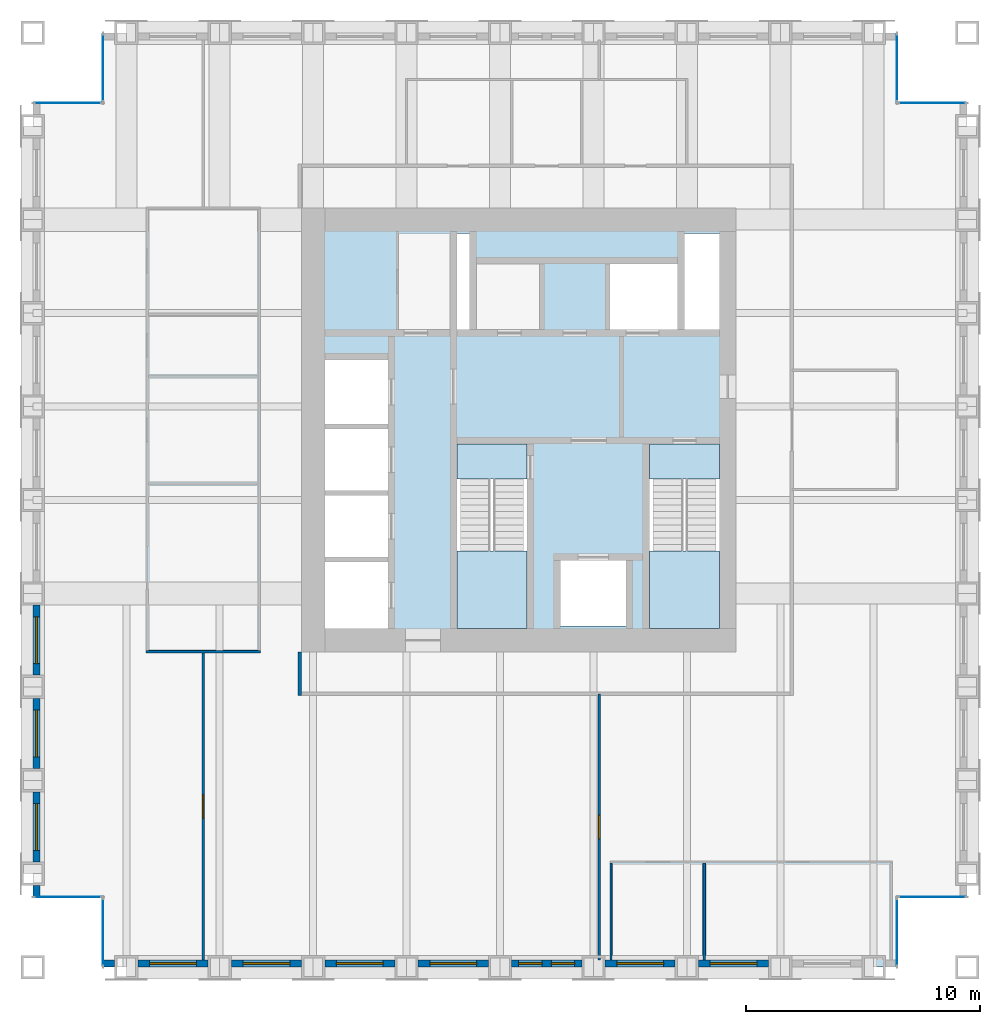
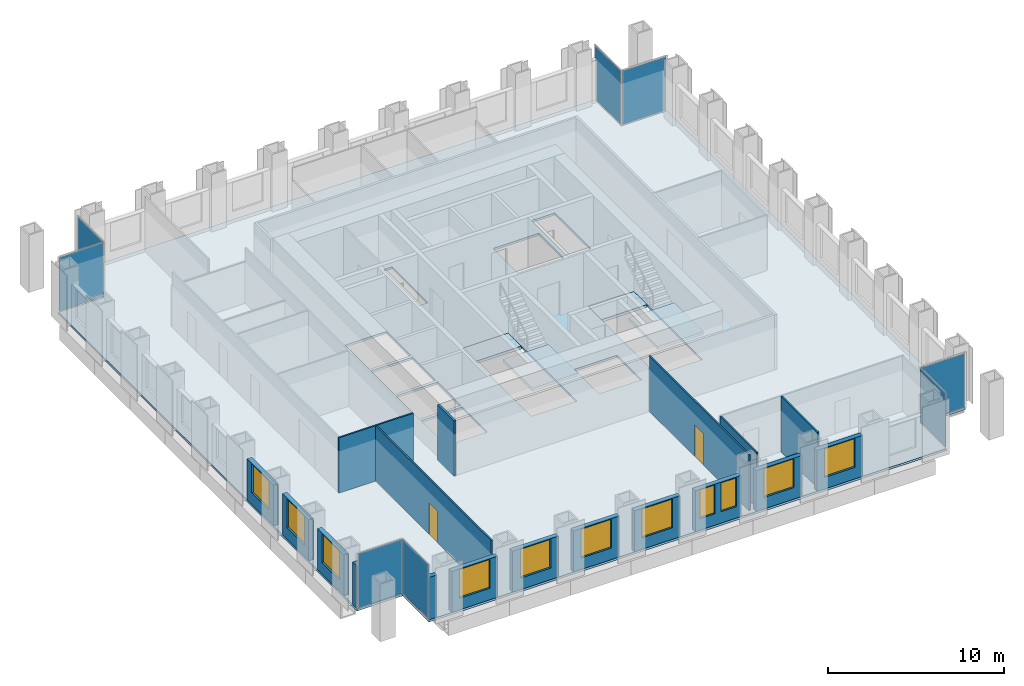
# One storey, part 7 of 11: 18 walls, 11 windows, 8 plates, 5 slabs, 2 doors, 13 openings, 10 elements without a shape of their own.
"""IFC4 building model written with IfcOpenShell, lengths in metres."""

from ifc_helpers import new_model, si_unit, direction, frame, frame_2d, origin, origin_2d, place, context, subcontext, project, spatial, polyline, rectangle, outline, extrude, material, layer, layer_set, type_object, element, fill, aggregate, save


model = new_model("IFC4")

# Units and contexts
model_context = context("Model", 3, precision=1e-05, world=origin(), true_north=direction((0.0, 1.0)))
body_context = subcontext(model_context, "Body", "Model", "MODEL_VIEW")
ifc_project = project(units=[si_unit("LENGTHUNIT", "METRE"), si_unit("AREAUNIT", "SQUARE_METRE"), si_unit("VOLUMEUNIT", "CUBIC_METRE"), si_unit("PLANEANGLEUNIT", "RADIAN"), si_unit("MASSUNIT", "GRAM", prefix="KILO")], contexts=[model_context])

# Site, building, storey
site_placement = place(None, origin())
site = spatial("IfcSite", under=ifc_project, at=site_placement, CompositionType="ELEMENT")
building_placement = place(site_placement, origin())
building = spatial("IfcBuilding", under=site, at=building_placement, Name="Rimbunsela Tower", CompositionType="ELEMENT")
storey_placement = place(building_placement, frame((0.0, 0.0, 278.199951171875)))
storey = spatial("IfcBuildingStorey", under=building, at=storey_placement, Name="L67", CompositionType="ELEMENT", Elevation=278.199951171875)

# Slab
ifc_material_1 = material(Name="Concrete fc' 35 MPa", Category="concrete")
ifc_layer_1 = layer(ifc_material_1, 0.14990234375)
ifc_layer_set_1 = layer_set([ifc_layer_1], Name="Floor slab 150")
slab_type_1 = type_object("IfcSlabType", Name="Floor slab 150", PredefinedType="FLOOR", material=ifc_layer_set_1)
slab_1_placement = place(storey_placement, frame((0.0, 0.0, -0.14990234375)))
element("IfcSlab", 1, at=slab_1_placement, inside=storey, type_object=slab_type_1, Name="Floor slab L67", PredefinedType="FLOOR", context=body_context, shape_type="SweptSolid", body=[
    extrude(outline(polyline([(9.0, 4.0), (43.0, 4.0), (43.0, 7.0), (46.0, 7.0), (46.0, 41.0), (43.0, 41.0), (43.0, 44.0), (9.0, 44.0), (9.0, 41.0), (6.0, 41.0), (6.0, 7.0), (9.0, 7.0), (9.0, 4.0)]), holes=[polyline([(21.199951171875, 21.35009765625), (18.5, 21.35009765625), (18.5, 18.5), (21.199951171875, 18.5), (21.199951171875, 21.35009765625)]), polyline([(21.199951171875, 21.550048828125), (21.199951171875, 24.199951171875), (18.5, 24.199951171875), (18.5, 21.550048828125), (21.199951171875, 21.550048828125)]), polyline([(21.199951171875, 27.050048828125), (18.5, 27.050048828125), (18.5, 24.39990234375), (21.199951171875, 24.39990234375), (21.199951171875, 27.050048828125)]), polyline([(21.199951171875, 30.0), (18.5, 30.0), (18.5, 27.25), (21.199951171875, 27.25), (21.199951171875, 30.0)]), polyline([(27.14990234375, 26.39990234375), (24.14990234375, 26.39990234375), (24.14990234375, 18.60009765625), (27.14990234375, 18.60009765625), (27.14990234375, 26.39990234375)]), polyline([(24.699951171875, 31.300048828125), (24.699951171875, 35.39990234375), (24.14990234375, 35.39990234375), (24.14990234375, 31.300048828125), (24.699951171875, 31.300048828125)]), polyline([(31.39990234375, 21.39990234375), (28.60009765625, 21.39990234375), (28.60009765625, 18.60009765625), (31.39990234375, 18.60009765625), (31.39990234375, 21.39990234375)]), polyline([(33.60009765625, 34.10009765625), (30.60009765625, 34.10009765625), (30.60009765625, 31.300048828125), (33.60009765625, 31.300048828125), (33.60009765625, 34.10009765625)]), polyline([(35.39990234375, 18.60009765625), (35.39990234375, 26.39990234375), (32.39990234375, 26.39990234375), (32.39990234375, 18.60009765625), (35.39990234375, 18.60009765625)]), polyline([(35.39990234375, 31.300048828125), (35.39990234375, 35.39990234375), (33.89990234375, 35.39990234375), (33.89990234375, 31.300048828125), (35.39990234375, 31.300048828125)])]), origin(), (0.0, 0.0, 1.0), 0.14990234375),
])

# Curtain wall, plate
ifc_material_2 = material(Name="Aluminium curtain wall", Category="aluminium")
curtain_wall_type = type_object("IfcCurtainWallType", Name="Corner glazing", PredefinedType="USERDEFINED", material=ifc_material_2)
curtain_wall_1_placement = place(storey_placement, origin())
curtain_wall_1 = element("IfcCurtainWall", 2, at=curtain_wall_1_placement, inside=storey, type_object=curtain_wall_type, Name="Corner glazing L67", ObjectType="CORNER GLAZING", PredefinedType="USERDEFINED")
ifc_material_3 = material(Name="Clear double glazing", Category="glass")
ifc_layer_2 = layer(ifc_material_3, 0.028076171875)
ifc_layer_set_2 = layer_set([ifc_layer_2], Name="Glazed panel clear")
plate_type = type_object("IfcPlateType", Name="Glazed panel clear", PredefinedType="CURTAIN_PANEL", material=ifc_layer_set_2)
plate_1_placement = place(storey_placement, frame((43.0, 5.5, 0.06005859375), z_axis=(0.0, 0.0, 1.0), x_axis=(0.0, 1.0, 0.0)))
plate_1 = element("IfcPlate", 3, at=plate_1_placement, type_object=plate_type, Name="CW5 panel 1.1", PredefinedType="CURTAIN_PANEL", context=body_context, shape_type="SweptSolid", body=[
    extrude(rectangle(XDim=2.8798828125, YDim=0.028076171875, at=origin_2d()), origin(), (0.0, 0.0, 1.0), 3.72998046875),
])
aggregate(curtain_wall_1, [plate_1])

curtain_wall_2_placement = place(storey_placement, origin())
curtain_wall_2 = element("IfcCurtainWall", 4, at=curtain_wall_2_placement, inside=storey, type_object=curtain_wall_type, Name="Corner glazing L67", ObjectType="CORNER GLAZING", PredefinedType="USERDEFINED")
plate_2_placement = place(storey_placement, frame((44.5, 7.0, 0.06005859375), z_axis=(0.0, 0.0, 1.0), x_axis=(1.0, 0.0, 0.0)))
plate_2 = element("IfcPlate", 5, at=plate_2_placement, type_object=plate_type, Name="CW5 panel 1.1", PredefinedType="CURTAIN_PANEL", context=body_context, shape_type="SweptSolid", body=[
    extrude(rectangle(XDim=2.8798828125, YDim=0.028076171875, at=origin_2d()), origin(), (0.0, 0.0, 1.0), 3.72998046875),
])
aggregate(curtain_wall_2, [plate_2])

curtain_wall_3_placement = place(storey_placement, origin())
curtain_wall_3 = element("IfcCurtainWall", 6, at=curtain_wall_3_placement, inside=storey, type_object=curtain_wall_type, Name="Corner glazing L67", ObjectType="CORNER GLAZING", PredefinedType="USERDEFINED")
plate_3_placement = place(storey_placement, frame((44.5, 41.0, 0.06005859375), z_axis=(0.0, 0.0, 1.0), x_axis=(-1.0, 0.0, 0.0)))
plate_3 = element("IfcPlate", 7, at=plate_3_placement, type_object=plate_type, Name="CW5 panel 1.1", PredefinedType="CURTAIN_PANEL", context=body_context, shape_type="SweptSolid", body=[
    extrude(rectangle(XDim=2.8798828125, YDim=0.028076171875, at=origin_2d()), origin(), (0.0, 0.0, 1.0), 3.72998046875),
])
aggregate(curtain_wall_3, [plate_3])

curtain_wall_4_placement = place(storey_placement, origin())
curtain_wall_4 = element("IfcCurtainWall", 8, at=curtain_wall_4_placement, inside=storey, type_object=curtain_wall_type, Name="Corner glazing L67", ObjectType="CORNER GLAZING", PredefinedType="USERDEFINED")
plate_4_placement = place(storey_placement, frame((43.0, 42.5, 0.06005859375), z_axis=(0.0, 0.0, 1.0), x_axis=(0.0, 1.0, 0.0)))
plate_4 = element("IfcPlate", 9, at=plate_4_placement, type_object=plate_type, Name="CW5 panel 1.1", PredefinedType="CURTAIN_PANEL", context=body_context, shape_type="SweptSolid", body=[
    extrude(rectangle(XDim=2.8798828125, YDim=0.028076171875, at=origin_2d()), origin(), (0.0, 0.0, 1.0), 3.72998046875),
])
aggregate(curtain_wall_4, [plate_4])

curtain_wall_5_placement = place(storey_placement, origin())
curtain_wall_5 = element("IfcCurtainWall", 10, at=curtain_wall_5_placement, inside=storey, type_object=curtain_wall_type, Name="Corner glazing L67", ObjectType="CORNER GLAZING", PredefinedType="USERDEFINED")
plate_5_placement = place(storey_placement, frame((9.0, 42.5, 0.06005859375), z_axis=(0.0, 0.0, 1.0), x_axis=(0.0, -1.0, 0.0)))
plate_5 = element("IfcPlate", 11, at=plate_5_placement, type_object=plate_type, Name="CW5 panel 1.1", PredefinedType="CURTAIN_PANEL", context=body_context, shape_type="SweptSolid", body=[
    extrude(rectangle(XDim=2.8798828125, YDim=0.028076171875, at=origin_2d()), origin(), (0.0, 0.0, 1.0), 3.72998046875),
])
aggregate(curtain_wall_5, [plate_5])

curtain_wall_6_placement = place(storey_placement, origin())
curtain_wall_6 = element("IfcCurtainWall", 12, at=curtain_wall_6_placement, inside=storey, type_object=curtain_wall_type, Name="Corner glazing L67", ObjectType="CORNER GLAZING", PredefinedType="USERDEFINED")
plate_6_placement = place(storey_placement, frame((7.5, 41.0, 0.06005859375), z_axis=(0.0, 0.0, 1.0), x_axis=(-1.0, 0.0, 0.0)))
plate_6 = element("IfcPlate", 13, at=plate_6_placement, type_object=plate_type, Name="CW5 panel 1.1", PredefinedType="CURTAIN_PANEL", context=body_context, shape_type="SweptSolid", body=[
    extrude(rectangle(XDim=2.8798828125, YDim=0.028076171875, at=origin_2d()), origin(), (0.0, 0.0, 1.0), 3.72998046875),
])
aggregate(curtain_wall_6, [plate_6])

curtain_wall_7_placement = place(storey_placement, origin())
curtain_wall_7 = element("IfcCurtainWall", 14, at=curtain_wall_7_placement, inside=storey, type_object=curtain_wall_type, Name="Corner glazing L67", ObjectType="CORNER GLAZING", PredefinedType="USERDEFINED")
plate_7_placement = place(storey_placement, frame((7.5, 7.0, 0.06005859375), z_axis=(0.0, 0.0, 1.0), x_axis=(1.0, 0.0, 0.0)))
plate_7 = element("IfcPlate", 15, at=plate_7_placement, type_object=plate_type, Name="CW5 panel 1.1", PredefinedType="CURTAIN_PANEL", context=body_context, shape_type="SweptSolid", body=[
    extrude(rectangle(XDim=2.8798828125, YDim=0.028076171875, at=origin_2d()), origin(), (0.0, 0.0, 1.0), 3.72998046875),
])
aggregate(curtain_wall_7, [plate_7])

curtain_wall_8_placement = place(storey_placement, origin())
curtain_wall_8 = element("IfcCurtainWall", 16, at=curtain_wall_8_placement, inside=storey, type_object=curtain_wall_type, Name="Corner glazing L67", ObjectType="CORNER GLAZING", PredefinedType="USERDEFINED")
plate_8_placement = place(storey_placement, frame((9.0, 5.5, 0.06005859375), z_axis=(0.0, 0.0, 1.0), x_axis=(0.0, -1.0, 0.0)))
plate_8 = element("IfcPlate", 17, at=plate_8_placement, type_object=plate_type, Name="CW5 panel 1.1", PredefinedType="CURTAIN_PANEL", context=body_context, shape_type="SweptSolid", body=[
    extrude(rectangle(XDim=2.8798828125, YDim=0.028076171875, at=origin_2d()), origin(), (0.0, 0.0, 1.0), 3.72998046875),
])
aggregate(curtain_wall_8, [plate_8])

# Stair, slabs
ifc_material_4 = material(Name="Concrete fc' 35 MPa", Category="concrete")
stair_type = type_object("IfcStairType", Name="Exit stair 24 risers", PredefinedType="HALF_TURN_STAIR", material=ifc_material_4)
stair_1_placement = place(storey_placement, origin())
stair_1 = element("IfcStair", 18, at=stair_1_placement, inside=storey, type_object=stair_type, Name="Exit stair A L67", PredefinedType="HALF_TURN_STAIR")
ifc_material_5 = material(Name="Concrete fc' 35 MPa", Category="concrete")
ifc_layer_3 = layer(ifc_material_5, 0.199951171875)
ifc_layer_set_3 = layer_set([ifc_layer_3], Name="Stair landing 200")
slab_type_2 = type_object("IfcSlabType", Name="Stair landing 200", PredefinedType="LANDING", material=ifc_layer_set_3)
slab_2_placement = place(storey_placement, frame((0.0, 0.0, -0.199951171875)))
slab_2 = element("IfcSlab", 19, at=slab_2_placement, type_object=slab_type_2, Name="ST-A landing 1", PredefinedType="LANDING", context=body_context, shape_type="SweptSolid", body=[
    extrude(outline(polyline([(24.14990234375, 24.89990234375), (27.14990234375, 24.89990234375), (27.14990234375, 26.39990234375), (24.14990234375, 26.39990234375), (24.14990234375, 24.89990234375)])), origin(), (0.0, 0.0, 1.0), 0.199951171875),
])
slab_3_placement = place(storey_placement, frame((0.0, 0.0, 1.800048828125)))
slab_3 = element("IfcSlab", 20, at=slab_3_placement, type_object=slab_type_2, Name="ST-A landing 2", PredefinedType="LANDING", context=body_context, shape_type="SweptSolid", body=[
    extrude(outline(polyline([(24.14990234375, 18.5), (27.14990234375, 18.5), (27.14990234375, 21.820068359375), (24.14990234375, 21.820068359375), (24.14990234375, 18.5)])), origin(), (0.0, 0.0, 1.0), 0.199951171875),
])
aggregate(stair_1, [slab_2, slab_3])

stair_2_placement = place(storey_placement, origin())
stair_2 = element("IfcStair", 21, at=stair_2_placement, inside=storey, type_object=stair_type, Name="Exit stair B L67", PredefinedType="HALF_TURN_STAIR")
slab_4_placement = place(storey_placement, frame((0.0, 0.0, -0.199951171875)))
slab_4 = element("IfcSlab", 22, at=slab_4_placement, type_object=slab_type_2, Name="ST-B landing 1", PredefinedType="LANDING", context=body_context, shape_type="SweptSolid", body=[
    extrude(outline(polyline([(32.39990234375, 24.89990234375), (35.39990234375, 24.89990234375), (35.39990234375, 26.39990234375), (32.39990234375, 26.39990234375), (32.39990234375, 24.89990234375)])), origin(), (0.0, 0.0, 1.0), 0.199951171875),
])
slab_5_placement = place(storey_placement, frame((0.0, 0.0, 1.800048828125)))
slab_5 = element("IfcSlab", 23, at=slab_5_placement, type_object=slab_type_2, Name="ST-B landing 2", PredefinedType="LANDING", context=body_context, shape_type="SweptSolid", body=[
    extrude(outline(polyline([(32.39990234375, 18.5), (35.39990234375, 18.5), (35.39990234375, 21.820068359375), (32.39990234375, 21.820068359375), (32.39990234375, 18.5)])), origin(), (0.0, 0.0, 1.0), 0.199951171875),
])
aggregate(stair_2, [slab_4, slab_5])

# Walls
ifc_material_6 = material(Name="Gypsum board on steel studs", Category="steel")
ifc_layer_4 = layer(ifc_material_6, 0.10009765625)
ifc_layer_set_4 = layer_set([ifc_layer_4], Name="Office partition 100")
wall_type_1 = type_object("IfcWallType", Name="Office partition 100", PredefinedType="PARTITIONING", material=ifc_layer_set_4)
wall_1_placement = place(storey_placement, frame((10.85009765625, 17.5, 0.0), z_axis=(0.0, 0.0, 1.0), x_axis=(1.0, 0.0, 0.0)))
element("IfcWall", 24, at=wall_1_placement, inside=storey, type_object=wall_type_1, Name="Office partition", PredefinedType="PARTITIONING", context=body_context, shape_type="SweptSolid", body=[
    extrude(rectangle(XDim=4.89990234375, YDim=0.10009765625, at=frame_2d((2.449951171875, 0.0))), origin(), (0.0, 0.0, 1.0), 3.85009765625),
])
for number, where, z_axis, x_axis, name in (
    (25, (30.75, 4.300048828125, 0.0), (0.0, 0.0, 1.0), (0.0, 1.0, 0.0), "Office partition"),
    (26, (34.75, 4.300048828125, 0.0), (0.0, 0.0, 1.0), (0.0, 1.0, 0.0), "Office partition"),
):
    element("IfcWall", number, at=place(storey_placement, frame(where, z_axis=z_axis, x_axis=x_axis)), inside=storey, type_object=wall_type_1, Name=name, PredefinedType="PARTITIONING", context=body_context, shape_type="SweptSolid", body=[
        extrude(rectangle(XDim=4.14990234375, YDim=0.10009765625, at=frame_2d((2.074951171875, 0.0))), origin(), (0.0, 0.0, 1.0), 3.85009765625),
    ])

# Wall, opening, door
wall_2_placement = place(storey_placement, frame((30.25, 15.699951171875, 0.0), z_axis=(0.0, 0.0, 1.0), x_axis=(0.0, -1.0, 0.0)))
wall_2 = element("IfcWall", 27, at=wall_2_placement, inside=storey, type_object=wall_type_1, Name="Office partition", PredefinedType="PARTITIONING", context=body_context, shape_type="SweptSolid", body=[
    extrude(rectangle(XDim=11.39990234375, YDim=0.10009765625, at=frame_2d((5.699951171875, 0.0))), origin(), (0.0, 0.0, 1.0), 3.85009765625),
])
opening_1_placement = place(wall_2_placement, frame((5.199951171875, 0.0, 0.0)))
opening_1 = element("IfcOpeningElement", 28, at=opening_1_placement, cuts=wall_2, Name="Opening D17", PredefinedType="OPENING", context=body_context, shape_type="SweptSolid", body=[
    extrude(rectangle(XDim=1.0, YDim=2.199951171875, at=frame_2d((0.5, 1.10009765625))), frame((0.0, 0.06005859375, 0.0), z_axis=(0.0, -1.0, 0.0), x_axis=(1.0, 0.0, 0.0)), (0.0, 0.0, 1.0), 0.1201171875),
])
ifc_material_7 = material(Name="Glazed aluminium door", Category="aluminium")
door_type = type_object("IfcDoorType", Name="Meeting room door 1000 glazed", OperationType="SINGLE_SWING_RIGHT", PredefinedType="DOOR", material=ifc_material_7)
door_1_placement = place(opening_1_placement, origin())
door_1 = element("IfcDoor", 29, at=door_1_placement, inside=storey, type_object=door_type, Name="Open office screen door", OperationType="SINGLE_SWING_RIGHT", OverallHeight=2.199951171875, OverallWidth=1.0, PredefinedType="DOOR", context=body_context, shape_type="SweptSolid", body=[
    extrude(rectangle(XDim=1.0, YDim=2.199951171875, at=frame_2d((0.5, 1.10009765625))), frame((0.0, 0.02490234375, 0.0), z_axis=(0.0, -1.0, 0.0), x_axis=(1.0, 0.0, 0.0)), (0.0, 0.0, 1.0), 0.050048828125),
])
fill(opening_1, door_1)

wall_3_placement = place(storey_placement, frame((13.300048828125, 4.300048828125, 0.0), z_axis=(0.0, 0.0, 1.0), x_axis=(0.0, 1.0, 0.0)))
wall_3 = element("IfcWall", 30, at=wall_3_placement, inside=storey, type_object=wall_type_1, Name="Office partition", PredefinedType="PARTITIONING", context=body_context, shape_type="SweptSolid", body=[
    extrude(rectangle(XDim=13.14990234375, YDim=0.10009765625, at=frame_2d((6.574951171875, 0.0))), origin(), (0.0, 0.0, 1.0), 3.85009765625),
])
opening_2_placement = place(wall_3_placement, frame((6.074951171875, 0.0, 0.0)))
opening_2 = element("IfcOpeningElement", 31, at=opening_2_placement, cuts=wall_3, Name="Opening D17", PredefinedType="OPENING", context=body_context, shape_type="SweptSolid", body=[
    extrude(rectangle(XDim=1.0, YDim=2.199951171875, at=frame_2d((0.5, 1.10009765625))), frame((0.0, 0.06005859375, 0.0), z_axis=(0.0, -1.0, 0.0), x_axis=(1.0, 0.0, 0.0)), (0.0, 0.0, 1.0), 0.1201171875),
])
door_2_placement = place(opening_2_placement, origin())
door_2 = element("IfcDoor", 32, at=door_2_placement, inside=storey, type_object=door_type, Name="Open office screen door", OperationType="SINGLE_SWING_RIGHT", OverallHeight=2.199951171875, OverallWidth=1.0, PredefinedType="DOOR", context=body_context, shape_type="SweptSolid", body=[
    extrude(rectangle(XDim=1.0, YDim=2.199951171875, at=frame_2d((0.5, 1.10009765625))), frame((0.0, 0.02490234375, 0.0), z_axis=(0.0, -1.0, 0.0), x_axis=(1.0, 0.0, 0.0)), (0.0, 0.0, 1.0), 0.050048828125),
])
fill(opening_2, door_2)

# Wall
ifc_material_8 = material(Name="Precast concrete fc' 35 MPa", Category="concrete")
ifc_layer_5 = layer(ifc_material_8, 0.300048828125)
ifc_layer_set_5 = layer_set([ifc_layer_5], Name="Precast concrete fc' 35 MPa")
wall_type_2 = type_object("IfcWallType", Name="Precast facade panel 300", PredefinedType="ELEMENTEDWALL", material=ifc_layer_set_5)
wall_4_placement = place(storey_placement, frame((9.030029296875, 4.14990234375, 0.0), z_axis=(0.0, 0.0, 1.0), x_axis=(1.0, 0.0, 0.0)))
element("IfcWall", 33, at=wall_4_placement, inside=storey, type_object=wall_type_2, Name="Facade panel S L67", PredefinedType="ELEMENTEDWALL", context=body_context, shape_type="SweptSolid", body=[
    extrude(rectangle(XDim=0.469970703125, YDim=0.300048828125, at=frame_2d((0.23486328125, 0.0))), origin(), (0.0, 0.0, 1.0), 2.949951171875),
])

# Wall, opening, window
wall_5_placement = place(storey_placement, frame((10.5, 4.14990234375, 0.0), z_axis=(0.0, 0.0, 1.0), x_axis=(1.0, 0.0, 0.0)))
wall_5 = element("IfcWall", 34, at=wall_5_placement, inside=storey, type_object=wall_type_2, Name="Facade panel S L67", PredefinedType="ELEMENTEDWALL", context=body_context, shape_type="SweptSolid", body=[
    extrude(rectangle(XDim=3.0, YDim=0.300048828125, at=frame_2d((1.5, 0.0))), origin(), (0.0, 0.0, 1.0), 2.85009765625),
])
opening_3_placement = place(wall_5_placement, frame((0.5, 0.0, 0.800048828125)))
opening_3 = element("IfcOpeningElement", 35, at=opening_3_placement, cuts=wall_5, Name="Opening W1", PredefinedType="OPENING", context=body_context, shape_type="SweptSolid", body=[
    extrude(rectangle(XDim=2.0, YDim=2.0, at=frame_2d((1.0, 1.0))), frame((0.0, 0.159912109375, 0.0), z_axis=(0.0, -1.0, 0.0), x_axis=(1.0, 0.0, 0.0)), (0.0, 0.0, 1.0), 0.320068359375),
])
ifc_material_9 = material(Name="Clear glass in aluminium frame", Category="aluminium")
window_type_1 = type_object("IfcWindowType", Name="Window W1 2000x2000", PartitioningType="DOUBLE_PANEL_VERTICAL", PredefinedType="WINDOW", material=ifc_material_9)
window_1_placement = place(opening_3_placement, origin())
window_1 = element("IfcWindow", 36, at=window_1_placement, inside=storey, type_object=window_type_1, Name="Window L67", OverallHeight=2.0, OverallWidth=2.0, PartitioningType="SINGLE_PANEL", PredefinedType="WINDOW", context=body_context, shape_type="SweptSolid", body=[
    extrude(rectangle(XDim=2.0, YDim=2.0, at=frame_2d((1.0, 1.0))), frame((0.0, 0.030029296875, 0.0), z_axis=(0.0, -1.0, 0.0), x_axis=(1.0, 0.0, 0.0)), (0.0, 0.0, 1.0), 0.06005859375),
])
fill(opening_3, window_1)

wall_6_placement = place(storey_placement, frame((14.5, 4.14990234375, 0.0), z_axis=(0.0, 0.0, 1.0), x_axis=(1.0, 0.0, 0.0)))
wall_6 = element("IfcWall", 37, at=wall_6_placement, inside=storey, type_object=wall_type_2, Name="Facade panel S L67", PredefinedType="ELEMENTEDWALL", context=body_context, shape_type="SweptSolid", body=[
    extrude(rectangle(XDim=3.0, YDim=0.300048828125, at=frame_2d((1.5, 0.0))), origin(), (0.0, 0.0, 1.0), 2.85009765625),
])
opening_4_placement = place(wall_6_placement, frame((0.5, 0.0, 0.800048828125)))
opening_4 = element("IfcOpeningElement", 38, at=opening_4_placement, cuts=wall_6, Name="Opening W1", PredefinedType="OPENING", context=body_context, shape_type="SweptSolid", body=[
    extrude(rectangle(XDim=2.0, YDim=2.0, at=frame_2d((1.0, 1.0))), frame((0.0, 0.159912109375, 0.0), z_axis=(0.0, -1.0, 0.0), x_axis=(1.0, 0.0, 0.0)), (0.0, 0.0, 1.0), 0.320068359375),
])
window_2_placement = place(opening_4_placement, origin())
window_2 = element("IfcWindow", 39, at=window_2_placement, inside=storey, type_object=window_type_1, Name="Window L67", OverallHeight=2.0, OverallWidth=2.0, PartitioningType="SINGLE_PANEL", PredefinedType="WINDOW", context=body_context, shape_type="SweptSolid", body=[
    extrude(rectangle(XDim=2.0, YDim=2.0, at=frame_2d((1.0, 1.0))), frame((0.0, 0.030029296875, 0.0), z_axis=(0.0, -1.0, 0.0), x_axis=(1.0, 0.0, 0.0)), (0.0, 0.0, 1.0), 0.06005859375),
])
fill(opening_4, window_2)

wall_7_placement = place(storey_placement, frame((18.5, 4.14990234375, 0.0), z_axis=(0.0, 0.0, 1.0), x_axis=(1.0, 0.0, 0.0)))
wall_7 = element("IfcWall", 40, at=wall_7_placement, inside=storey, type_object=wall_type_2, Name="Facade panel S L67", PredefinedType="ELEMENTEDWALL", context=body_context, shape_type="SweptSolid", body=[
    extrude(rectangle(XDim=3.0, YDim=0.300048828125, at=frame_2d((1.5, 0.0))), origin(), (0.0, 0.0, 1.0), 2.85009765625),
])
opening_5_placement = place(wall_7_placement, frame((0.5, 0.0, 0.800048828125)))
opening_5 = element("IfcOpeningElement", 41, at=opening_5_placement, cuts=wall_7, Name="Opening W1", PredefinedType="OPENING", context=body_context, shape_type="SweptSolid", body=[
    extrude(rectangle(XDim=2.0, YDim=2.0, at=frame_2d((1.0, 1.0))), frame((0.0, 0.159912109375, 0.0), z_axis=(0.0, -1.0, 0.0), x_axis=(1.0, 0.0, 0.0)), (0.0, 0.0, 1.0), 0.320068359375),
])
window_3_placement = place(opening_5_placement, origin())
window_3 = element("IfcWindow", 42, at=window_3_placement, inside=storey, type_object=window_type_1, Name="Window L67", OverallHeight=2.0, OverallWidth=2.0, PartitioningType="SINGLE_PANEL", PredefinedType="WINDOW", context=body_context, shape_type="SweptSolid", body=[
    extrude(rectangle(XDim=2.0, YDim=2.0, at=frame_2d((1.0, 1.0))), frame((0.0, 0.030029296875, 0.0), z_axis=(0.0, -1.0, 0.0), x_axis=(1.0, 0.0, 0.0)), (0.0, 0.0, 1.0), 0.06005859375),
])
fill(opening_5, window_3)

wall_8_placement = place(storey_placement, frame((22.5, 4.14990234375, 0.0), z_axis=(0.0, 0.0, 1.0), x_axis=(1.0, 0.0, 0.0)))
wall_8 = element("IfcWall", 43, at=wall_8_placement, inside=storey, type_object=wall_type_2, Name="Facade panel S L67", PredefinedType="ELEMENTEDWALL", context=body_context, shape_type="SweptSolid", body=[
    extrude(rectangle(XDim=3.0, YDim=0.300048828125, at=frame_2d((1.5, 0.0))), origin(), (0.0, 0.0, 1.0), 2.85009765625),
])
opening_6_placement = place(wall_8_placement, frame((0.5, 0.0, 0.800048828125)))
opening_6 = element("IfcOpeningElement", 44, at=opening_6_placement, cuts=wall_8, Name="Opening W1", PredefinedType="OPENING", context=body_context, shape_type="SweptSolid", body=[
    extrude(rectangle(XDim=2.0, YDim=2.0, at=frame_2d((1.0, 1.0))), frame((0.0, 0.159912109375, 0.0), z_axis=(0.0, -1.0, 0.0), x_axis=(1.0, 0.0, 0.0)), (0.0, 0.0, 1.0), 0.320068359375),
])
window_4_placement = place(opening_6_placement, origin())
window_4 = element("IfcWindow", 45, at=window_4_placement, inside=storey, type_object=window_type_1, Name="Window L67", OverallHeight=2.0, OverallWidth=2.0, PartitioningType="SINGLE_PANEL", PredefinedType="WINDOW", context=body_context, shape_type="SweptSolid", body=[
    extrude(rectangle(XDim=2.0, YDim=2.0, at=frame_2d((1.0, 1.0))), frame((0.0, 0.030029296875, 0.0), z_axis=(0.0, -1.0, 0.0), x_axis=(1.0, 0.0, 0.0)), (0.0, 0.0, 1.0), 0.06005859375),
])
fill(opening_6, window_4)

# Wall, openings, windows
wall_9_placement = place(storey_placement, frame((26.5, 4.14990234375, 0.0), z_axis=(0.0, 0.0, 1.0), x_axis=(1.0, 0.0, 0.0)))
wall_9 = element("IfcWall", 46, at=wall_9_placement, inside=storey, type_object=wall_type_2, Name="Facade panel S L67", PredefinedType="ELEMENTEDWALL", context=body_context, shape_type="SweptSolid", body=[
    extrude(rectangle(XDim=3.0, YDim=0.300048828125, at=frame_2d((1.5, 0.0))), origin(), (0.0, 0.0, 1.0), 2.85009765625),
])
opening_7_placement = place(wall_9_placement, frame((0.300048828125, 0.0, 0.800048828125)))
opening_7 = element("IfcOpeningElement", 47, at=opening_7_placement, cuts=wall_9, Name="Opening W5", PredefinedType="OPENING", context=body_context, shape_type="SweptSolid", body=[
    extrude(rectangle(XDim=1.0, YDim=2.0, at=frame_2d((0.5, 1.0))), frame((0.0, 0.159912109375, 0.0), z_axis=(0.0, -1.0, 0.0), x_axis=(1.0, 0.0, 0.0)), (0.0, 0.0, 1.0), 0.320068359375),
])
opening_8_placement = place(wall_9_placement, frame((1.699951171875, 0.0, 0.800048828125)))
opening_8 = element("IfcOpeningElement", 48, at=opening_8_placement, cuts=wall_9, Name="Opening W5", PredefinedType="OPENING", context=body_context, shape_type="SweptSolid", body=[
    extrude(rectangle(XDim=1.0, YDim=2.0, at=frame_2d((0.5, 1.0))), frame((0.0, 0.159912109375, 0.0), z_axis=(0.0, -1.0, 0.0), x_axis=(1.0, 0.0, 0.0)), (0.0, 0.0, 1.0), 0.320068359375),
])
ifc_material_10 = material(Name="Clear glass in aluminium frame", Category="aluminium")
window_type_2 = type_object("IfcWindowType", Name="Window W5 1000x2000", PartitioningType="SINGLE_PANEL", PredefinedType="WINDOW", material=ifc_material_10)
window_5_placement = place(opening_7_placement, origin())
window_5 = element("IfcWindow", 49, at=window_5_placement, inside=storey, type_object=window_type_2, Name="Window L67", OverallHeight=2.0, OverallWidth=1.0, PartitioningType="SINGLE_PANEL", PredefinedType="WINDOW", context=body_context, shape_type="SweptSolid", body=[
    extrude(rectangle(XDim=1.0, YDim=2.0, at=frame_2d((0.5, 1.0))), frame((0.0, 0.030029296875, 0.0), z_axis=(0.0, -1.0, 0.0), x_axis=(1.0, 0.0, 0.0)), (0.0, 0.0, 1.0), 0.06005859375),
])
fill(opening_7, window_5)
window_6_placement = place(opening_8_placement, origin())
window_6 = element("IfcWindow", 50, at=window_6_placement, inside=storey, type_object=window_type_2, Name="Window L67", OverallHeight=2.0, OverallWidth=1.0, PartitioningType="SINGLE_PANEL", PredefinedType="WINDOW", context=body_context, shape_type="SweptSolid", body=[
    extrude(rectangle(XDim=1.0, YDim=2.0, at=frame_2d((0.5, 1.0))), frame((0.0, 0.030029296875, 0.0), z_axis=(0.0, -1.0, 0.0), x_axis=(1.0, 0.0, 0.0)), (0.0, 0.0, 1.0), 0.06005859375),
])
fill(opening_8, window_6)

# Wall, opening, window
wall_10_placement = place(storey_placement, frame((30.5, 4.14990234375, 0.0), z_axis=(0.0, 0.0, 1.0), x_axis=(1.0, 0.0, 0.0)))
wall_10 = element("IfcWall", 51, at=wall_10_placement, inside=storey, type_object=wall_type_2, Name="Facade panel S L67", PredefinedType="ELEMENTEDWALL", context=body_context, shape_type="SweptSolid", body=[
    extrude(rectangle(XDim=3.0, YDim=0.300048828125, at=frame_2d((1.5, 0.0))), origin(), (0.0, 0.0, 1.0), 2.85009765625),
])
opening_9_placement = place(wall_10_placement, frame((0.5, 0.0, 0.800048828125)))
opening_9 = element("IfcOpeningElement", 52, at=opening_9_placement, cuts=wall_10, Name="Opening W1", PredefinedType="OPENING", context=body_context, shape_type="SweptSolid", body=[
    extrude(rectangle(XDim=2.0, YDim=2.0, at=frame_2d((1.0, 1.0))), frame((0.0, 0.159912109375, 0.0), z_axis=(0.0, -1.0, 0.0), x_axis=(1.0, 0.0, 0.0)), (0.0, 0.0, 1.0), 0.320068359375),
])
window_7_placement = place(opening_9_placement, origin())
window_7 = element("IfcWindow", 53, at=window_7_placement, inside=storey, type_object=window_type_1, Name="Window L67", OverallHeight=2.0, OverallWidth=2.0, PartitioningType="SINGLE_PANEL", PredefinedType="WINDOW", context=body_context, shape_type="SweptSolid", body=[
    extrude(rectangle(XDim=2.0, YDim=2.0, at=frame_2d((1.0, 1.0))), frame((0.0, 0.030029296875, 0.0), z_axis=(0.0, -1.0, 0.0), x_axis=(1.0, 0.0, 0.0)), (0.0, 0.0, 1.0), 0.06005859375),
])
fill(opening_9, window_7)

wall_11_placement = place(storey_placement, frame((34.5, 4.14990234375, 0.0), z_axis=(0.0, 0.0, 1.0), x_axis=(1.0, 0.0, 0.0)))
wall_11 = element("IfcWall", 54, at=wall_11_placement, inside=storey, type_object=wall_type_2, Name="Facade panel S L67", PredefinedType="ELEMENTEDWALL", context=body_context, shape_type="SweptSolid", body=[
    extrude(rectangle(XDim=3.0, YDim=0.300048828125, at=frame_2d((1.5, 0.0))), origin(), (0.0, 0.0, 1.0), 2.85009765625),
])
opening_10_placement = place(wall_11_placement, frame((0.5, 0.0, 0.800048828125)))
opening_10 = element("IfcOpeningElement", 55, at=opening_10_placement, cuts=wall_11, Name="Opening W1", PredefinedType="OPENING", context=body_context, shape_type="SweptSolid", body=[
    extrude(rectangle(XDim=2.0, YDim=2.0, at=frame_2d((1.0, 1.0))), frame((0.0, 0.159912109375, 0.0), z_axis=(0.0, -1.0, 0.0), x_axis=(1.0, 0.0, 0.0)), (0.0, 0.0, 1.0), 0.320068359375),
])
window_8_placement = place(opening_10_placement, origin())
window_8 = element("IfcWindow", 56, at=window_8_placement, inside=storey, type_object=window_type_1, Name="Window L67", OverallHeight=2.0, OverallWidth=2.0, PartitioningType="SINGLE_PANEL", PredefinedType="WINDOW", context=body_context, shape_type="SweptSolid", body=[
    extrude(rectangle(XDim=2.0, YDim=2.0, at=frame_2d((1.0, 1.0))), frame((0.0, 0.030029296875, 0.0), z_axis=(0.0, -1.0, 0.0), x_axis=(1.0, 0.0, 0.0)), (0.0, 0.0, 1.0), 0.06005859375),
])
fill(opening_10, window_8)

# Wall
wall_12_placement = place(storey_placement, frame((6.14990234375, 7.5, 0.0), z_axis=(0.0, 0.0, 1.0), x_axis=(0.0, -1.0, 0.0)))
element("IfcWall", 57, at=wall_12_placement, inside=storey, type_object=wall_type_2, Name="Facade panel W L67", PredefinedType="ELEMENTEDWALL", context=body_context, shape_type="SweptSolid", body=[
    extrude(rectangle(XDim=0.469970703125, YDim=0.300048828125, at=frame_2d((0.23486328125, 0.0))), origin(), (0.0, 0.0, 1.0), 2.949951171875),
])

# Wall, opening, window
wall_13_placement = place(storey_placement, frame((6.14990234375, 11.5, 0.0), z_axis=(0.0, 0.0, 1.0), x_axis=(0.0, -1.0, 0.0)))
wall_13 = element("IfcWall", 58, at=wall_13_placement, inside=storey, type_object=wall_type_2, Name="Facade panel W L67", PredefinedType="ELEMENTEDWALL", context=body_context, shape_type="SweptSolid", body=[
    extrude(rectangle(XDim=3.0, YDim=0.300048828125, at=frame_2d((1.5, 0.0))), origin(), (0.0, 0.0, 1.0), 2.85009765625),
])
opening_11_placement = place(wall_13_placement, frame((0.5, 0.0, 0.800048828125)))
opening_11 = element("IfcOpeningElement", 59, at=opening_11_placement, cuts=wall_13, Name="Opening W1", PredefinedType="OPENING", context=body_context, shape_type="SweptSolid", body=[
    extrude(rectangle(XDim=2.0, YDim=2.0, at=frame_2d((1.0, 1.0))), frame((0.0, 0.159912109375, 0.0), z_axis=(0.0, -1.0, 0.0), x_axis=(1.0, 0.0, 0.0)), (0.0, 0.0, 1.0), 0.320068359375),
])
window_9_placement = place(opening_11_placement, origin())
window_9 = element("IfcWindow", 60, at=window_9_placement, inside=storey, type_object=window_type_1, Name="Window L67", OverallHeight=2.0, OverallWidth=2.0, PartitioningType="SINGLE_PANEL", PredefinedType="WINDOW", context=body_context, shape_type="SweptSolid", body=[
    extrude(rectangle(XDim=2.0, YDim=2.0, at=frame_2d((1.0, 1.0))), frame((0.0, 0.030029296875, 0.0), z_axis=(0.0, -1.0, 0.0), x_axis=(1.0, 0.0, 0.0)), (0.0, 0.0, 1.0), 0.06005859375),
])
fill(opening_11, window_9)

wall_14_placement = place(storey_placement, frame((6.14990234375, 15.5, 0.0), z_axis=(0.0, 0.0, 1.0), x_axis=(0.0, -1.0, 0.0)))
wall_14 = element("IfcWall", 61, at=wall_14_placement, inside=storey, type_object=wall_type_2, Name="Facade panel W L67", PredefinedType="ELEMENTEDWALL", context=body_context, shape_type="SweptSolid", body=[
    extrude(rectangle(XDim=3.0, YDim=0.300048828125, at=frame_2d((1.5, 0.0))), origin(), (0.0, 0.0, 1.0), 2.85009765625),
])
opening_12_placement = place(wall_14_placement, frame((0.5, 0.0, 0.800048828125)))
opening_12 = element("IfcOpeningElement", 62, at=opening_12_placement, cuts=wall_14, Name="Opening W1", PredefinedType="OPENING", context=body_context, shape_type="SweptSolid", body=[
    extrude(rectangle(XDim=2.0, YDim=2.0, at=frame_2d((1.0, 1.0))), frame((0.0, 0.159912109375, 0.0), z_axis=(0.0, -1.0, 0.0), x_axis=(1.0, 0.0, 0.0)), (0.0, 0.0, 1.0), 0.320068359375),
])
window_10_placement = place(opening_12_placement, origin())
window_10 = element("IfcWindow", 63, at=window_10_placement, inside=storey, type_object=window_type_1, Name="Window L67", OverallHeight=2.0, OverallWidth=2.0, PartitioningType="SINGLE_PANEL", PredefinedType="WINDOW", context=body_context, shape_type="SweptSolid", body=[
    extrude(rectangle(XDim=2.0, YDim=2.0, at=frame_2d((1.0, 1.0))), frame((0.0, 0.030029296875, 0.0), z_axis=(0.0, -1.0, 0.0), x_axis=(1.0, 0.0, 0.0)), (0.0, 0.0, 1.0), 0.06005859375),
])
fill(opening_12, window_10)

wall_15_placement = place(storey_placement, frame((6.14990234375, 19.5, 0.0), z_axis=(0.0, 0.0, 1.0), x_axis=(0.0, -1.0, 0.0)))
wall_15 = element("IfcWall", 64, at=wall_15_placement, inside=storey, type_object=wall_type_2, Name="Facade panel W L67", PredefinedType="ELEMENTEDWALL", context=body_context, shape_type="SweptSolid", body=[
    extrude(rectangle(XDim=3.0, YDim=0.300048828125, at=frame_2d((1.5, 0.0))), origin(), (0.0, 0.0, 1.0), 2.85009765625),
])
opening_13_placement = place(wall_15_placement, frame((0.5, 0.0, 0.800048828125)))
opening_13 = element("IfcOpeningElement", 65, at=opening_13_placement, cuts=wall_15, Name="Opening W1", PredefinedType="OPENING", context=body_context, shape_type="SweptSolid", body=[
    extrude(rectangle(XDim=2.0, YDim=2.0, at=frame_2d((1.0, 1.0))), frame((0.0, 0.159912109375, 0.0), z_axis=(0.0, -1.0, 0.0), x_axis=(1.0, 0.0, 0.0)), (0.0, 0.0, 1.0), 0.320068359375),
])
window_11_placement = place(opening_13_placement, origin())
window_11 = element("IfcWindow", 66, at=window_11_placement, inside=storey, type_object=window_type_1, Name="Window L67", OverallHeight=2.0, OverallWidth=2.0, PartitioningType="SINGLE_PANEL", PredefinedType="WINDOW", context=body_context, shape_type="SweptSolid", body=[
    extrude(rectangle(XDim=2.0, YDim=2.0, at=frame_2d((1.0, 1.0))), frame((0.0, 0.030029296875, 0.0), z_axis=(0.0, -1.0, 0.0), x_axis=(1.0, 0.0, 0.0)), (0.0, 0.0, 1.0), 0.06005859375),
])
fill(opening_13, window_11)

# Wall
ifc_material_11 = material(Name="Fire-rated gypsum board on steel studs, EI 60", Category="steel")
ifc_layer_6 = layer(ifc_material_11, 0.14990234375)
ifc_layer_set_6 = layer_set([ifc_layer_6], Name="Rated corridor wall 150")
wall_type_3 = type_object("IfcWallType", Name="Rated corridor wall 150", PredefinedType="PARTITIONING", material=ifc_layer_set_6)
wall_16_placement = place(storey_placement, frame((17.425048828125, 15.625, 0.0), z_axis=(0.0, 0.0, 1.0), x_axis=(0.0, 1.0, 0.0)))
element("IfcWall", 67, at=wall_16_placement, inside=storey, type_object=wall_type_3, Name="Corridor end wall south", PredefinedType="PARTITIONING", context=body_context, shape_type="SweptSolid", body=[
    extrude(rectangle(XDim=1.875, YDim=0.14990234375, at=frame_2d((0.9375, 0.0))), origin(), (0.0, 0.0, 1.0), 3.85009765625),
])

save(model, "model.ifc")
